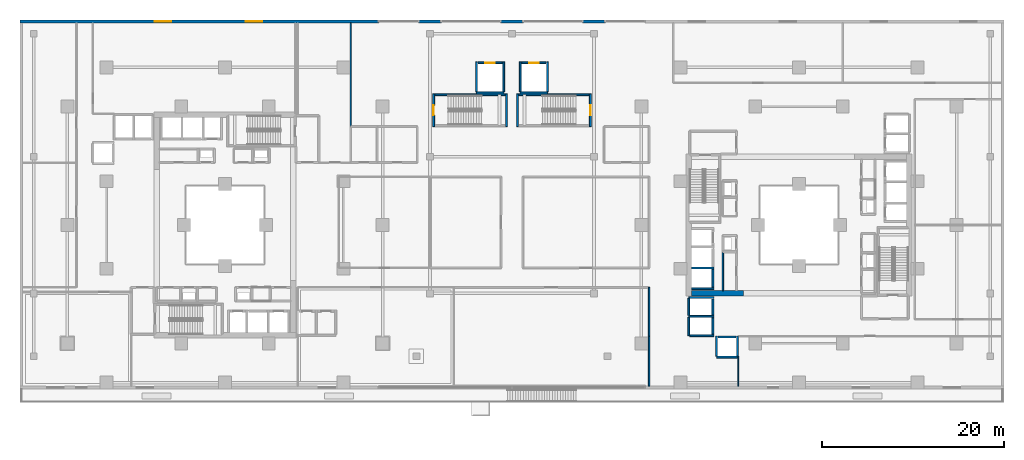
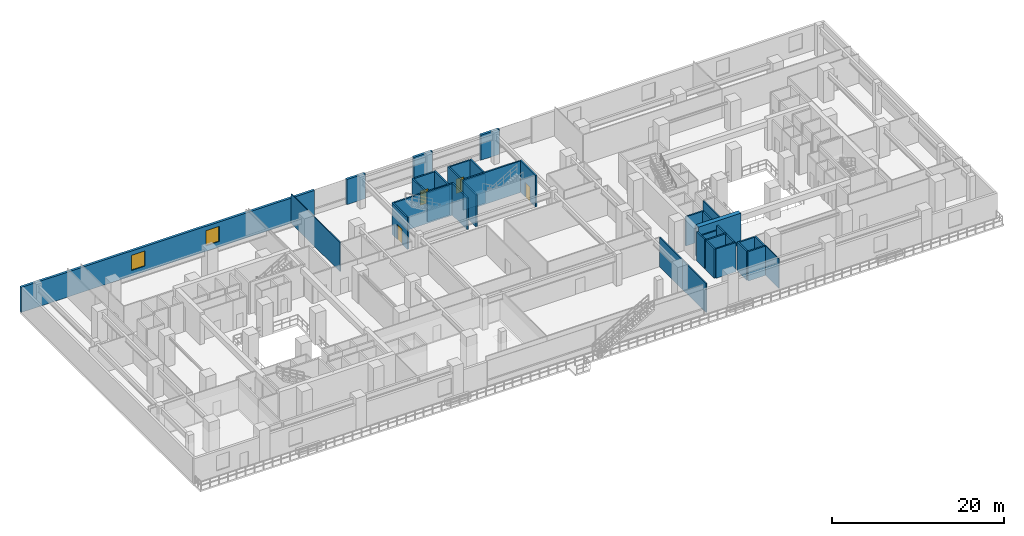
# One storey, part 15 of 24: 38 walls, 4 doors, 2 windows, 6 openings.
"""IFC4 building model written with IfcOpenShell, lengths in metres."""

from ifc_helpers import new_model, si_unit, direction, frame, frame_2d, origin, place, context, subcontext, project, spatial, rectangle, extrude, material, layer, layer_set, type_object, element, fill, save


model = new_model("IFC4")

# Units and contexts
model_context = context("Model", 3, precision=1e-05, world=origin(), true_north=direction((0.0, 1.0)))
body_context = subcontext(model_context, "Body", "Model", "MODEL_VIEW")
ifc_project = project(units=[si_unit("LENGTHUNIT", "METRE"), si_unit("AREAUNIT", "SQUARE_METRE"), si_unit("VOLUMEUNIT", "CUBIC_METRE"), si_unit("PLANEANGLEUNIT", "RADIAN"), si_unit("MASSUNIT", "GRAM", prefix="KILO")], contexts=[model_context])

# Site, building, storey
site_placement = place(None, origin())
site = spatial("IfcSite", under=ifc_project, at=site_placement, CompositionType="ELEMENT")
building_placement = place(site_placement, origin())
building = spatial("IfcBuilding", under=site, at=building_placement, Name="Thornwick Lancets Civic Towers", CompositionType="ELEMENT")
storey_placement = place(building_placement, frame((0.0, 0.0, 14.10009765625)))
storey = spatial("IfcBuildingStorey", under=building, at=storey_placement, Name="L03", CompositionType="ELEMENT", Elevation=14.10009765625)

# Walls
ifc_material_1 = material(Name="Concrete blockwork C40/50", Category="masonry")
ifc_layer_1 = layer(ifc_material_1, 0.199951171875, Name="Concrete blockwork C40/50")
ifc_layer_set_1 = layer_set([ifc_layer_1], Name="Concrete blockwork C40/50")
wall_type_1 = type_object("IfcWallType", Name="WALL_COMP_200", PredefinedType="STANDARD", material=ifc_layer_set_1)
wall_1_placement = place(storey_placement, frame((79.050048828125, 20.179931640625, 0.0), z_axis=(0.0, 0.0, 1.0), x_axis=(0.0, 1.0, 0.0)))
element("IfcWall", 1, at=wall_1_placement, inside=storey, type_object=wall_type_1, Name="L03 Hoistway Front Wall PL-BH3", PredefinedType="STANDARD", context=body_context, shape_type="SweptSolid", body=[
    extrude(rectangle(XDim=1.940185546875, YDim=0.199951171875, at=frame_2d((0.97021484375, 0.0))), origin(), (0.0, 0.0, 1.0), 4.159912109375),
])
wall_2_placement = place(storey_placement, frame((79.050048828125, 17.1298828125, 0.0), z_axis=(0.0, 0.0, 1.0), x_axis=(0.0, 1.0, 0.0)))
element("IfcWall", 2, at=wall_2_placement, inside=storey, type_object=wall_type_1, Name="L03 Hoistway Front Wall PL-BM1", PredefinedType="STANDARD", context=body_context, shape_type="SweptSolid", body=[
    extrude(rectangle(XDim=1.740234375, YDim=0.199951171875, at=frame_2d((0.8701171875, 0.0))), origin(), (0.0, 0.0, 1.0), 4.159912109375),
])
wall_3_placement = place(storey_placement, frame((79.050048828125, 15.030029296875, 0.0), z_axis=(0.0, 0.0, 1.0), x_axis=(0.0, 1.0, 0.0)))
element("IfcWall", 3, at=wall_3_placement, inside=storey, type_object=wall_type_1, Name="L03 Hoistway Front Wall PL-BM2", PredefinedType="STANDARD", context=body_context, shape_type="SweptSolid", body=[
    extrude(rectangle(XDim=1.7900390625, YDim=0.199951171875, at=frame_2d((0.89501953125, 0.0))), origin(), (0.0, 0.0, 1.0), 4.159912109375),
])
wall_4_placement = place(storey_placement, frame((79.6298828125, 14.699951171875, 0.0), z_axis=(0.0, 0.0, 1.0), x_axis=(1.0, 0.0, 0.0)))
element("IfcWall", 4, at=wall_4_placement, inside=storey, type_object=wall_type_1, Name="L03 Hoistway Front Wall PL-BM3", PredefinedType="STANDARD", context=body_context, shape_type="SweptSolid", body=[
    extrude(rectangle(XDim=1.940185546875, YDim=0.199951171875, at=frame_2d((0.97021484375, 0.0))), origin(), (0.0, 0.0, 1.0), 4.159912109375),
])

# Wall, opening, door
wall_5_placement = place(storey_placement, frame((53.280029296875, 44.800048828125, 0.0), z_axis=(0.0, 0.0, 1.0), x_axis=(1.0, 0.0, 0.0)))
wall_5 = element("IfcWall", 5, at=wall_5_placement, inside=storey, type_object=wall_type_1, Name="L03 Hoistway Front Wall GL-P1", PredefinedType="STANDARD", context=body_context, shape_type="SweptSolid", body=[
    extrude(rectangle(XDim=2.639892578125, YDim=0.199951171875, at=frame_2d((1.31982421875, 0.0))), origin(), (0.0, 0.0, 1.0), 4.159912109375),
])
opening_1_placement = place(wall_5_placement, frame((0.81005859375, 0.0, 0.0)))
opening_1 = element("IfcOpeningElement", 6, at=opening_1_placement, cuts=wall_5, Name="Opening LD-GL-P1", PredefinedType="OPENING", context=body_context, shape_type="SweptSolid", body=[
    extrude(rectangle(XDim=1.02001953125, YDim=2.06005859375, at=frame_2d((0.510009765625, 1.030029296875))), frame((0.0, 0.10986328125, 0.0), z_axis=(0.0, -1.0, 0.0), x_axis=(1.0, 0.0, 0.0)), (0.0, 0.0, 1.0), 0.219970703125),
])
ifc_material_2 = material(Name="Brushed bronze stainless steel", Category="steel")
door_type_1 = type_object("IfcDoorType", Name="DOOR_LIFT_SLIDE", OperationType="SLIDING_TO_LEFT", PredefinedType="DOOR", material=ifc_material_2)
door_1_placement = place(opening_1_placement, origin())
door_1 = element("IfcDoor", 7, at=door_1_placement, inside=storey, type_object=door_type_1, Name="L03 Sliding Lift Landing Door LD-GL-P1", OperationType="SLIDING_TO_LEFT", OverallHeight=2.06005859375, OverallWidth=1.02001953125, PredefinedType="DOOR", context=body_context, shape_type="SweptSolid", body=[
    extrude(rectangle(XDim=1.02001953125, YDim=2.06005859375, at=frame_2d((0.510009765625, 1.030029296875))), frame((0.0, 0.02490234375, 0.0), z_axis=(0.0, -1.0, 0.0), x_axis=(1.0, 0.0, 0.0)), (0.0, 0.0, 1.0), 0.050048828125),
])
fill(opening_1, door_1)

wall_6_placement = place(storey_placement, frame((58.080078125, 44.800048828125, 0.0), z_axis=(0.0, 0.0, 1.0), x_axis=(1.0, 0.0, 0.0)))
wall_6 = element("IfcWall", 8, at=wall_6_placement, inside=storey, type_object=wall_type_1, Name="L03 Hoistway Front Wall GL-P2", PredefinedType="STANDARD", context=body_context, shape_type="SweptSolid", body=[
    extrude(rectangle(XDim=2.639892578125, YDim=0.199951171875, at=frame_2d((1.31982421875, 0.0))), origin(), (0.0, 0.0, 1.0), 4.159912109375),
])
opening_2_placement = place(wall_6_placement, frame((0.81005859375, 0.0, 0.0)))
opening_2 = element("IfcOpeningElement", 9, at=opening_2_placement, cuts=wall_6, Name="Opening LD-GL-P2", PredefinedType="OPENING", context=body_context, shape_type="SweptSolid", body=[
    extrude(rectangle(XDim=1.02001953125, YDim=2.06005859375, at=frame_2d((0.510009765625, 1.030029296875))), frame((0.0, 0.10986328125, 0.0), z_axis=(0.0, -1.0, 0.0), x_axis=(1.0, 0.0, 0.0)), (0.0, 0.0, 1.0), 0.219970703125),
])
door_2_placement = place(opening_2_placement, origin())
door_2 = element("IfcDoor", 10, at=door_2_placement, inside=storey, type_object=door_type_1, Name="L03 Sliding Lift Landing Door LD-GL-P2", OperationType="SLIDING_TO_LEFT", OverallHeight=2.06005859375, OverallWidth=1.02001953125, PredefinedType="DOOR", context=body_context, shape_type="SweptSolid", body=[
    extrude(rectangle(XDim=1.02001953125, YDim=2.06005859375, at=frame_2d((0.510009765625, 1.030029296875))), frame((0.0, 0.02490234375, 0.0), z_axis=(0.0, -1.0, 0.0), x_axis=(1.0, 0.0, 0.0)), (0.0, 0.0, 1.0), 0.050048828125),
])
fill(opening_2, door_2)

# Walls
for number, where, z_axis, x_axis, name in (
    (11, (76.7119140625, 22.27490234375, 0.0), (0.0, 0.0, 1.0), (1.0, 0.0, 0.0), "L03 Hoistway Shaft Wall PL-BH2 S"),
    (12, (76.7119140625, 20.0, 0.0), (0.0, 0.0, 1.0), (1.0, 0.0, 0.0), "L03 Hoistway Shaft Wall PL-BH3 S"),
):
    element("IfcWall", number, at=place(storey_placement, frame(where, z_axis=z_axis, x_axis=x_axis)), inside=storey, type_object=wall_type_1, Name=name, PredefinedType="STANDARD", context=body_context, shape_type="SweptSolid", body=[
        extrude(rectangle(XDim=2.43603515625, YDim=0.199951171875, at=frame_2d((1.218017578125, 0.0))), origin(), (0.0, 0.0, 1.0), 4.159912109375),
    ])
wall_7_placement = place(storey_placement, frame((76.402099609375, 19.050048828125, 0.0), z_axis=(0.0, 0.0, 1.0), x_axis=(1.0, 0.0, 0.0)))
element("IfcWall", 13, at=wall_7_placement, inside=storey, type_object=wall_type_1, Name="L03 Hoistway Shaft Wall PL-BM1 N", PredefinedType="STANDARD", context=body_context, shape_type="SweptSolid", body=[
    extrude(rectangle(XDim=2.745849609375, YDim=0.199951171875, at=frame_2d((1.373046875, 0.0))), origin(), (0.0, 0.0, 1.0), 3.364990234375),
])
wall_8_placement = place(storey_placement, frame((76.402099609375, 16.97509765625, 0.0), z_axis=(0.0, 0.0, 1.0), x_axis=(1.0, 0.0, 0.0)))
element("IfcWall", 14, at=wall_8_placement, inside=storey, type_object=wall_type_1, Name="L03 Hoistway Shaft Wall PL-BM1 S", PredefinedType="STANDARD", context=body_context, shape_type="SweptSolid", body=[
    extrude(rectangle(XDim=2.745849609375, YDim=0.199951171875, at=frame_2d((1.373046875, 0.0))), origin(), (0.0, 0.0, 1.0), 4.159912109375),
])
wall_9_placement = place(storey_placement, frame((76.39990234375, 14.85205078125, 0.0), z_axis=(0.0, 0.0, 1.0), x_axis=(0.0, 1.0, 0.0)))
element("IfcWall", 15, at=wall_9_placement, inside=storey, type_object=wall_type_1, Name="L03 Hoistway Shaft Wall PL-BM1 W", PredefinedType="STANDARD", context=body_context, shape_type="SweptSolid", body=[
    extrude(rectangle(XDim=2.015869140625, YDim=0.199951171875, at=frame_2d((1.0078125, 0.0))), origin(), (0.0, 0.0, 1.0), 4.159912109375),
])
wall_10_placement = place(storey_placement, frame((76.39990234375, 17.08203125, 0.0), z_axis=(0.0, 0.0, 1.0), x_axis=(0.0, 1.0, 0.0)))
element("IfcWall", 16, at=wall_10_placement, inside=storey, type_object=wall_type_1, Name="L03 Hoistway Shaft Wall PL-BM1 W", PredefinedType="STANDARD", context=body_context, shape_type="SweptSolid", body=[
    extrude(rectangle(XDim=1.85595703125, YDim=0.199951171875, at=frame_2d((0.927978515625, 0.0))), origin(), (0.0, 0.0, 1.0), 4.159912109375),
])
wall_11_placement = place(storey_placement, frame((76.511962890625, 14.85009765625, 0.0), z_axis=(0.0, 0.0, 1.0), x_axis=(1.0, 0.0, 0.0)))
element("IfcWall", 17, at=wall_11_placement, inside=storey, type_object=wall_type_1, Name="L03 Hoistway Shaft Wall PL-BM2 S", PredefinedType="STANDARD", context=body_context, shape_type="SweptSolid", body=[
    extrude(rectangle(XDim=2.635986328125, YDim=0.199951171875, at=frame_2d((1.31787109375, 0.0))), origin(), (0.0, 0.0, 1.0), 4.159912109375),
])
wall_12_placement = place(storey_placement, frame((79.451904296875, 12.5, 0.0), z_axis=(0.0, 0.0, 1.0), x_axis=(1.0, 0.0, 0.0)))
element("IfcWall", 18, at=wall_12_placement, inside=storey, type_object=wall_type_1, Name="L03 Hoistway Shaft Wall PL-BM3 S", PredefinedType="STANDARD", context=body_context, shape_type="SweptSolid", body=[
    extrude(rectangle(XDim=2.296142578125, YDim=0.199951171875, at=frame_2d((1.14794921875, 0.0))), origin(), (0.0, 0.0, 1.0), 4.159912109375),
])
for number, where, z_axis, x_axis, name in (
    (19, (81.75, 12.612060546875, 0.0), (0.0, 0.0, 1.0), (0.0, 1.0, 0.0), "L03 Hoistway Shaft Wall PL-BM3 E"),
    (20, (79.449951171875, 12.612060546875, 0.0), (0.0, 0.0, 1.0), (0.0, 1.0, 0.0), "L03 Hoistway Shaft Wall PL-BM3 W"),
):
    element("IfcWall", number, at=place(storey_placement, frame(where, z_axis=z_axis, x_axis=x_axis)), inside=storey, type_object=wall_type_1, Name=name, PredefinedType="STANDARD", context=body_context, shape_type="SweptSolid", body=[
        extrude(rectangle(XDim=2.18603515625, YDim=0.199951171875, at=frame_2d((1.093017578125, 0.0))), origin(), (0.0, 0.0, 1.0), 4.159912109375),
    ])
wall_13_placement = place(storey_placement, frame((53.10205078125, 41.5, 0.0), z_axis=(0.0, 0.0, 1.0), x_axis=(1.0, 0.0, 0.0)))
element("IfcWall", 21, at=wall_13_placement, inside=storey, type_object=wall_type_1, Name="L03 Hoistway Shaft Wall GL-P1 S", PredefinedType="STANDARD", context=body_context, shape_type="SweptSolid", body=[
    extrude(rectangle(XDim=2.995849609375, YDim=0.199951171875, at=frame_2d((1.498046875, 0.0))), origin(), (0.0, 0.0, 1.0), 4.159912109375),
])
for number, where, z_axis, x_axis, name in (
    (22, (56.10009765625, 41.612060546875, 0.0), (0.0, 0.0, 1.0), (0.0, 1.0, 0.0), "L03 Hoistway Shaft Wall GL-P1 E"),
    (23, (53.10009765625, 41.612060546875, 0.0), (0.0, 0.0, 1.0), (0.0, 1.0, 0.0), "L03 Hoistway Shaft Wall GL-P1 W"),
):
    element("IfcWall", number, at=place(storey_placement, frame(where, z_axis=z_axis, x_axis=x_axis)), inside=storey, type_object=wall_type_1, Name=name, PredefinedType="STANDARD", context=body_context, shape_type="SweptSolid", body=[
        extrude(rectangle(XDim=3.285888671875, YDim=0.199951171875, at=frame_2d((1.64306640625, 0.0))), origin(), (0.0, 0.0, 1.0), 4.159912109375),
    ])
wall_14_placement = place(storey_placement, frame((57.902099609375, 41.5, 0.0), z_axis=(0.0, 0.0, 1.0), x_axis=(1.0, 0.0, 0.0)))
element("IfcWall", 24, at=wall_14_placement, inside=storey, type_object=wall_type_1, Name="L03 Hoistway Shaft Wall GL-P2 S", PredefinedType="STANDARD", context=body_context, shape_type="SweptSolid", body=[
    extrude(rectangle(XDim=2.995849609375, YDim=0.199951171875, at=frame_2d((1.498046875, 0.0))), origin(), (0.0, 0.0, 1.0), 4.159912109375),
])
for number, where, z_axis, x_axis, name in (
    (25, (60.89990234375, 41.612060546875, 0.0), (0.0, 0.0, 1.0), (0.0, 1.0, 0.0), "L03 Hoistway Shaft Wall GL-P2 E"),
    (26, (57.89990234375, 41.612060546875, 0.0), (0.0, 0.0, 1.0), (0.0, 1.0, 0.0), "L03 Hoistway Shaft Wall GL-P2 W"),
):
    element("IfcWall", number, at=place(storey_placement, frame(where, z_axis=z_axis, x_axis=x_axis)), inside=storey, type_object=wall_type_1, Name=name, PredefinedType="STANDARD", context=body_context, shape_type="SweptSolid", body=[
        extrude(rectangle(XDim=3.285888671875, YDim=0.199951171875, at=frame_2d((1.64306640625, 0.0))), origin(), (0.0, 0.0, 1.0), 4.159912109375),
    ])
ifc_material_3 = material(Name="Concrete C60/75", Category="concrete")
ifc_layer_2 = layer(ifc_material_3, 0.60009765625, Name="Concrete C60/75")
ifc_layer_set_2 = layer_set([ifc_layer_2], Name="Concrete C60/75")
wall_type_2 = type_object("IfcWallType", Name="WALL_CORE_600", PredefinedType="SHEAR", material=ifc_layer_set_2)
wall_15_placement = place(storey_placement, frame((76.699951171875, 19.5, 0.0), z_axis=(0.0, 0.0, 1.0), x_axis=(1.0, 0.0, 0.0)))
element("IfcWall", 27, at=wall_15_placement, inside=storey, type_object=wall_type_2, Name="L03 Split Core B2 Shear Wall S", PredefinedType="SHEAR", context=body_context, shape_type="SweptSolid", body=[
    extrude(rectangle(XDim=5.699951171875, YDim=0.60009765625, at=frame_2d((2.85009765625, 0.0))), origin(), (0.0, 0.0, 1.0), 4.5),
])
ifc_material_4 = material(Name="Insulated buff terracotta rainscreen on concrete C40/50", Category="masonry")
ifc_layer_3 = layer(ifc_material_4, 0.320068359375, Name="Insulated buff terracotta rainscreen on concrete C40/50")
ifc_layer_set_3 = layer_set([ifc_layer_3], Name="Insulated buff terracotta rainscreen on concrete C40/50")
wall_type_3 = type_object("IfcWallType", Name="WALL_EXT_TERRA_320", PredefinedType="STANDARD", material=ifc_layer_set_3)
for number, where, z_axis, x_axis, name in (
    (28, (67.25, 49.340087890625, 0.0), (0.0, 0.0, 1.0), (-1.0, 0.0, 0.0), "L03 Podium North Facade Pier 1"),
    (29, (58.25, 49.340087890625, 0.0), (0.0, 0.0, 1.0), (-1.0, 0.0, 0.0), "L03 Podium North Facade Pier 2"),
    (30, (49.25, 49.340087890625, 0.0), (0.0, 0.0, 1.0), (-1.0, 0.0, 0.0), "L03 Podium North Facade Pier 3"),
):
    element("IfcWall", number, at=place(storey_placement, frame(where, z_axis=z_axis, x_axis=x_axis)), inside=storey, type_object=wall_type_3, Name=name, PredefinedType="STANDARD", context=body_context, shape_type="SweptSolid", body=[
        extrude(rectangle(XDim=2.5, YDim=0.320068359375, at=frame_2d((1.25, 0.0))), origin(), (0.0, 0.0, 1.0), 3.559814453125),
    ])

# Wall, openings, windows
wall_16_placement = place(storey_placement, frame((42.39990234375, 49.340087890625, 0.0), z_axis=(0.0, 0.0, 1.0), x_axis=(-1.0, 0.0, 0.0)))
wall_16 = element("IfcWall", 31, at=wall_16_placement, inside=storey, type_object=wall_type_3, Name="L03 Podium North-West Facade Wall", PredefinedType="STANDARD", context=body_context, shape_type="SweptSolid", body=[
    extrude(rectangle(XDim=39.39990234375, YDim=0.320068359375, at=frame_2d((19.699951171875, 0.0))), origin(), (0.0, 0.0, 1.0), 3.559814453125),
])
opening_3_placement = place(wall_16_placement, frame((12.800048828125, 0.0, 0.780029296875)))
opening_3 = element("IfcOpeningElement", 32, at=opening_3_placement, cuts=wall_16, Name="Opening WP-18", PredefinedType="OPENING", context=body_context, shape_type="SweptSolid", body=[
    extrude(rectangle(XDim=1.800048828125, YDim=2.14990234375, at=frame_2d((0.89990234375, 1.074951171875))), frame((0.0, 0.169921875, 0.0), z_axis=(0.0, -1.0, 0.0), x_axis=(1.0, 0.0, 0.0)), (0.0, 0.0, 1.0), 0.340087890625),
])
opening_4_placement = place(wall_16_placement, frame((22.800048828125, 0.0, 0.780029296875)))
opening_4 = element("IfcOpeningElement", 33, at=opening_4_placement, cuts=wall_16, Name="Opening WP-18", PredefinedType="OPENING", context=body_context, shape_type="SweptSolid", body=[
    extrude(rectangle(XDim=1.800048828125, YDim=2.14990234375, at=frame_2d((0.89990234375, 1.074951171875))), frame((0.0, 0.169921875, 0.0), z_axis=(0.0, -1.0, 0.0), x_axis=(1.0, 0.0, 0.0)), (0.0, 0.0, 1.0), 0.340087890625),
])
ifc_material_5 = material(Name="Pointed lancet clear glass window", Category="glass")
window_type = type_object("IfcWindowType", Name="WIN_PODIUM_1800", PartitioningType="SINGLE_PANEL", PredefinedType="WINDOW", material=ifc_material_5)
window_1_placement = place(opening_3_placement, origin())
window_1 = element("IfcWindow", 34, at=window_1_placement, inside=storey, type_object=window_type, Name="L03 Podium Lancet Window 2", OverallHeight=2.14990234375, OverallWidth=1.800048828125, PartitioningType="SINGLE_PANEL", PredefinedType="WINDOW", context=body_context, shape_type="SweptSolid", body=[
    extrude(rectangle(XDim=1.800048828125, YDim=2.14990234375, at=frame_2d((0.89990234375, 1.074951171875))), frame((0.0, 0.030029296875, 0.0), z_axis=(0.0, -1.0, 0.0), x_axis=(1.0, 0.0, 0.0)), (0.0, 0.0, 1.0), 0.06005859375),
])
fill(opening_3, window_1)
window_2_placement = place(opening_4_placement, origin())
window_2 = element("IfcWindow", 35, at=window_2_placement, inside=storey, type_object=window_type, Name="L03 Podium Lancet Window 3", OverallHeight=2.14990234375, OverallWidth=1.800048828125, PartitioningType="SINGLE_PANEL", PredefinedType="WINDOW", context=body_context, shape_type="SweptSolid", body=[
    extrude(rectangle(XDim=1.800048828125, YDim=2.14990234375, at=frame_2d((0.89990234375, 1.074951171875))), frame((0.0, 0.030029296875, 0.0), z_axis=(0.0, -1.0, 0.0), x_axis=(1.0, 0.0, 0.0)), (0.0, 0.0, 1.0), 0.06005859375),
])
fill(opening_4, window_2)

# Walls
ifc_material_6 = material(Name="Acoustic gypsum board partition")
ifc_layer_4 = layer(ifc_material_6, 0.1201171875, Name="Acoustic gypsum board partition")
ifc_layer_set_4 = layer_set([ifc_layer_4], Name="Acoustic gypsum board partition")
wall_type_4 = type_object("IfcWallType", Name="WALL_PART_120", PredefinedType="PARTITIONING", material=ifc_layer_set_4)
wall_17_placement = place(storey_placement, frame((39.300048828125, 49.179931640625, 0.0), z_axis=(0.0, 0.0, 1.0), x_axis=(0.0, -1.0, 0.0)))
element("IfcWall", 36, at=wall_17_placement, inside=storey, type_object=wall_type_4, Name="L03 Partition L03-LIB E5", PredefinedType="PARTITIONING", context=body_context, shape_type="SweptSolid", body=[
    extrude(rectangle(XDim=11.3798828125, YDim=0.1201171875, at=frame_2d((5.68994140625, 0.0))), origin(), (0.0, 0.0, 1.0), 4.159912109375),
])
wall_18_placement = place(storey_placement, frame((81.85009765625, 9.320068359375, 0.0), z_axis=(0.0, 0.0, 1.0), x_axis=(0.0, 1.0, 0.0)))
element("IfcWall", 37, at=wall_18_placement, inside=storey, type_object=wall_type_4, Name="L03 Partition L03-SSE E2", PredefinedType="PARTITIONING", context=body_context, shape_type="SweptSolid", body=[
    extrude(rectangle(XDim=3.2919921875, YDim=0.1201171875, at=frame_2d((1.64599609375, 0.0))), origin(), (0.0, 0.0, 1.0), 4.159912109375),
])
ifc_material_7 = material(Name="Twin-stud acoustic gypsum board")
ifc_layer_5 = layer(ifc_material_7, 0.14990234375, Name="Twin-stud acoustic gypsum board")
ifc_layer_set_5 = layer_set([ifc_layer_5], Name="Twin-stud acoustic gypsum board")
wall_type_5 = type_object("IfcWallType", Name="WALL_PART_150", PredefinedType="PARTITIONING", material=ifc_layer_set_5)
wall_19_placement = place(storey_placement, frame((80.14990234375, 19.800048828125, 0.0), z_axis=(0.0, 0.0, 1.0), x_axis=(0.0, 1.0, 0.0)))
element("IfcWall", 38, at=wall_19_placement, inside=storey, type_object=wall_type_5, Name="L03 Partition L03-B-FWC E2", PredefinedType="PARTITIONING", context=body_context, shape_type="SweptSolid", body=[
    extrude(rectangle(XDim=4.25, YDim=0.14990234375, at=frame_2d((2.125, 0.0))), origin(), (0.0, 0.0, 1.0), 4.159912109375),
])
wall_20_placement = place(storey_placement, frame((72.050048828125, 20.14990234375, 0.0), z_axis=(0.0, 0.0, 1.0), x_axis=(0.0, -1.0, 0.0)))
element("IfcWall", 39, at=wall_20_placement, inside=storey, type_object=wall_type_5, Name="L03 Partition L03-TRIB E4", PredefinedType="PARTITIONING", context=body_context, shape_type="SweptSolid", body=[
    extrude(rectangle(XDim=5.349853515625, YDim=0.14990234375, at=frame_2d((2.6748046875, 0.0))), origin(), (0.0, 0.0, 1.0), 4.159912109375),
])
wall_21_placement = place(storey_placement, frame((72.050048828125, 14.800048828125, 0.0), z_axis=(0.0, 0.0, 1.0), x_axis=(0.0, -1.0, 0.0)))
element("IfcWall", 40, at=wall_21_placement, inside=storey, type_object=wall_type_5, Name="L03 Partition L03-TRIB E5", PredefinedType="PARTITIONING", context=body_context, shape_type="SweptSolid", body=[
    extrude(rectangle(XDim=5.47998046875, YDim=0.14990234375, at=frame_2d((2.739990234375, 0.0))), origin(), (0.0, 0.0, 1.0), 4.159912109375),
])

# Wall, opening, door
ifc_material_8 = material(Name="Concrete C40/50", Category="concrete")
ifc_layer_6 = layer(ifc_material_8, 0.199951171875, Name="Concrete C40/50")
ifc_layer_set_6 = layer_set([ifc_layer_6], Name="Concrete C40/50")
wall_type_6 = type_object("IfcWallType", Name="WALL_SHAFT_200", PredefinedType="SHEAR", material=ifc_layer_set_6)
wall_22_placement = place(storey_placement, frame((48.39990234375, 37.800048828125, 0.0), z_axis=(0.0, 0.0, 1.0), x_axis=(0.0, 1.0, 0.0)))
wall_22 = element("IfcWall", 41, at=wall_22_placement, inside=storey, type_object=wall_type_6, Name="L03 ST-P5 Fire Stair Core Wall NEAR", PredefinedType="SHEAR", context=body_context, shape_type="SweptSolid", body=[
    extrude(rectangle(XDim=3.599853515625, YDim=0.199951171875, at=frame_2d((1.7998046875, 0.0))), origin(), (0.0, 0.0, 1.0), 4.5),
])
opening_5_placement = place(wall_22_placement, frame((1.25, 0.0, 0.0)))
opening_5 = element("IfcOpeningElement", 42, at=opening_5_placement, cuts=wall_22, Name="Opening D-ST-P5-L03", PredefinedType="OPENING", context=body_context, shape_type="SweptSolid", body=[
    extrude(rectangle(XDim=1.10009765625, YDim=2.10009765625, at=frame_2d((0.550048828125, 1.050048828125))), frame((0.0, 0.10986328125, 0.0), z_axis=(0.0, -1.0, 0.0), x_axis=(1.0, 0.0, 0.0)), (0.0, 0.0, 1.0), 0.219970703125),
])
ifc_material_9 = material(Name="Fire-resisting steel and hardwood", Category="steel")
door_type_2 = type_object("IfcDoorType", Name="DOOR_STAIR_FD60", OperationType="NOTDEFINED", PredefinedType="DOOR", material=ifc_material_9)
door_3_placement = place(opening_5_placement, origin())
door_3 = element("IfcDoor", 43, at=door_3_placement, inside=storey, type_object=door_type_2, Name="L03 ST-P5 Exit Stair Door", OperationType="SINGLE_SWING_RIGHT", OverallHeight=2.10009765625, OverallWidth=1.10009765625, PredefinedType="DOOR", context=body_context, shape_type="SweptSolid", body=[
    extrude(rectangle(XDim=1.10009765625, YDim=2.10009765625, at=frame_2d((0.550048828125, 1.050048828125))), frame((0.0, 0.02490234375, 0.0), z_axis=(0.0, -1.0, 0.0), x_axis=(1.0, 0.0, 0.0)), (0.0, 0.0, 1.0), 0.050048828125),
])
fill(opening_5, door_3)

# Walls
wall_23_placement = place(storey_placement, frame((56.39990234375, 41.39990234375, 0.0), z_axis=(0.0, 0.0, 1.0), x_axis=(0.0, -1.0, 0.0)))
element("IfcWall", 44, at=wall_23_placement, inside=storey, type_object=wall_type_6, Name="L03 ST-P5 Fire Stair Core Wall FAR", PredefinedType="SHEAR", context=body_context, shape_type="SweptSolid", body=[
    extrude(rectangle(XDim=3.599853515625, YDim=0.199951171875, at=frame_2d((1.7998046875, 0.0))), origin(), (0.0, 0.0, 1.0), 4.5),
])
wall_24_placement = place(storey_placement, frame((56.25, 41.297119140625, 0.0), z_axis=(0.0, 0.0, 1.0), x_axis=(-1.0, 0.0, 0.0)))
element("IfcWall", 45, at=wall_24_placement, inside=storey, type_object=wall_type_6, Name="L03 ST-P5 Fire Stair Core Wall RIGHT", PredefinedType="SHEAR", context=body_context, shape_type="SweptSolid", body=[
    extrude(rectangle(XDim=7.699951171875, YDim=0.199951171875, at=frame_2d((3.85009765625, 0.0))), origin(), (0.0, 0.0, 1.0), 4.5),
])

# Wall, opening, door
wall_25_placement = place(storey_placement, frame((65.60009765625, 41.39990234375, 0.0), z_axis=(0.0, 0.0, 1.0), x_axis=(0.0, -1.0, 0.0)))
wall_25 = element("IfcWall", 46, at=wall_25_placement, inside=storey, type_object=wall_type_6, Name="L03 ST-P6 Fire Stair Core Wall NEAR", PredefinedType="SHEAR", context=body_context, shape_type="SweptSolid", body=[
    extrude(rectangle(XDim=3.599853515625, YDim=0.199951171875, at=frame_2d((1.7998046875, 0.0))), origin(), (0.0, 0.0, 1.0), 4.5),
])
opening_6_placement = place(wall_25_placement, frame((1.25, 0.0, 0.0)))
opening_6 = element("IfcOpeningElement", 47, at=opening_6_placement, cuts=wall_25, Name="Opening D-ST-P6-L03", PredefinedType="OPENING", context=body_context, shape_type="SweptSolid", body=[
    extrude(rectangle(XDim=1.10009765625, YDim=2.10009765625, at=frame_2d((0.550048828125, 1.050048828125))), frame((0.0, 0.10986328125, 0.0), z_axis=(0.0, -1.0, 0.0), x_axis=(1.0, 0.0, 0.0)), (0.0, 0.0, 1.0), 0.219970703125),
])
door_4_placement = place(opening_6_placement, origin())
door_4 = element("IfcDoor", 48, at=door_4_placement, inside=storey, type_object=door_type_2, Name="L03 ST-P6 Exit Stair Door", OperationType="SINGLE_SWING_LEFT", OverallHeight=2.10009765625, OverallWidth=1.10009765625, PredefinedType="DOOR", context=body_context, shape_type="SweptSolid", body=[
    extrude(rectangle(XDim=1.10009765625, YDim=2.10009765625, at=frame_2d((0.550048828125, 1.050048828125))), frame((0.0, 0.02490234375, 0.0), z_axis=(0.0, -1.0, 0.0), x_axis=(1.0, 0.0, 0.0)), (0.0, 0.0, 1.0), 0.050048828125),
])
fill(opening_6, door_4)

# Walls
wall_26_placement = place(storey_placement, frame((57.60009765625, 37.800048828125, 0.0), z_axis=(0.0, 0.0, 1.0), x_axis=(0.0, 1.0, 0.0)))
element("IfcWall", 49, at=wall_26_placement, inside=storey, type_object=wall_type_6, Name="L03 ST-P6 Fire Stair Core Wall FAR", PredefinedType="SHEAR", context=body_context, shape_type="SweptSolid", body=[
    extrude(rectangle(XDim=3.599853515625, YDim=0.199951171875, at=frame_2d((1.7998046875, 0.0))), origin(), (0.0, 0.0, 1.0), 4.5),
])
wall_27_placement = place(storey_placement, frame((65.449951171875, 41.297119140625, 0.0), z_axis=(0.0, 0.0, 1.0), x_axis=(-1.0, 0.0, 0.0)))
element("IfcWall", 50, at=wall_27_placement, inside=storey, type_object=wall_type_6, Name="L03 ST-P6 Fire Stair Core Wall LEFT", PredefinedType="SHEAR", context=body_context, shape_type="SweptSolid", body=[
    extrude(rectangle(XDim=7.699951171875, YDim=0.199951171875, at=frame_2d((3.85009765625, 0.0))), origin(), (0.0, 0.0, 1.0), 4.5),
])

save(model, "model.ifc")
